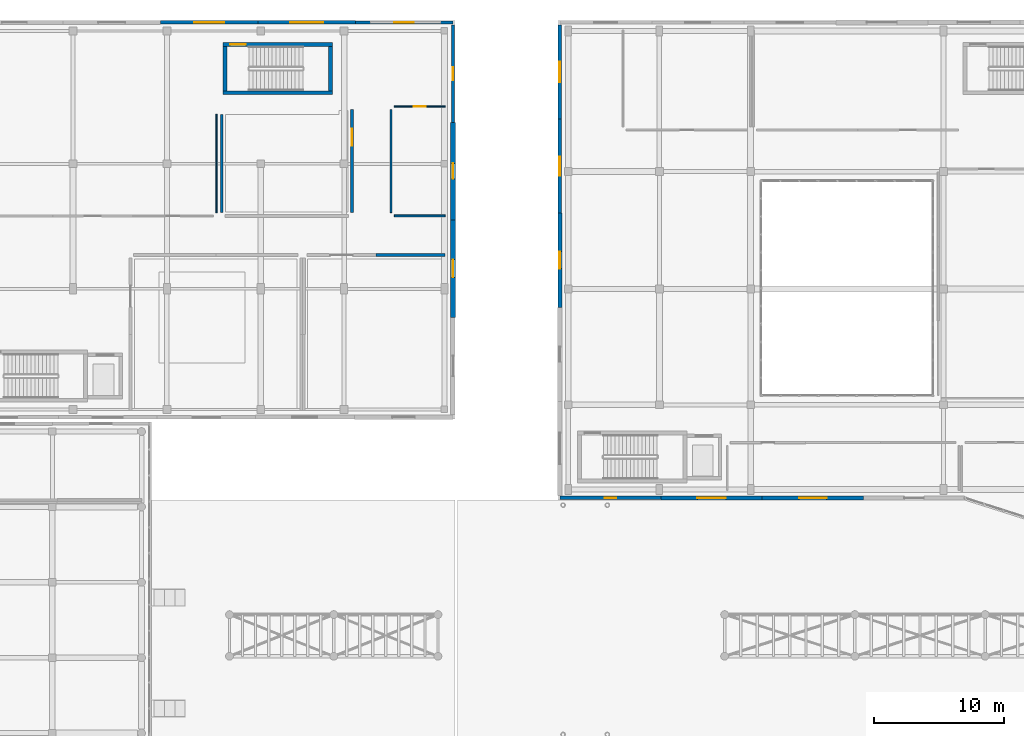
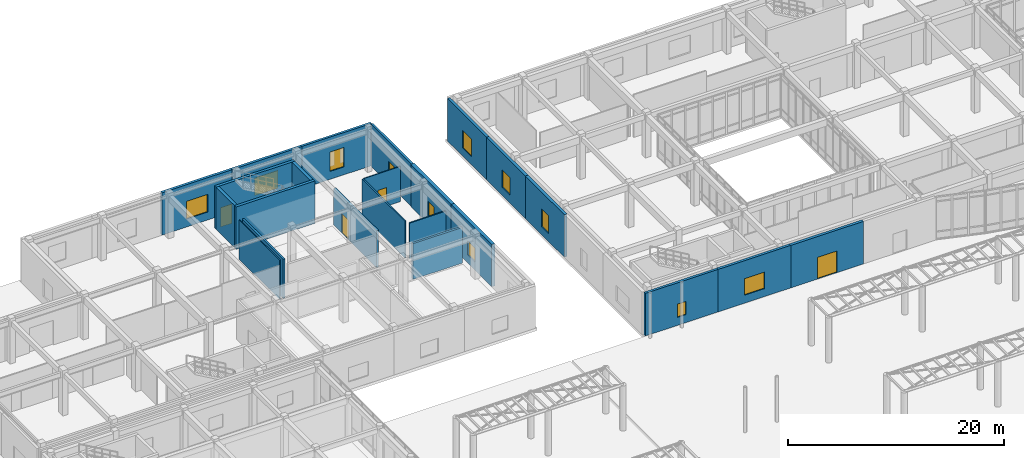
# One storey, part 103 of 121: 23 walls, 11 windows, 4 doors, 15 openings.
"""IFC4 building model written with IfcOpenShell, lengths in metres."""

from ifc_helpers import new_model, si_unit, direction, frame, frame_2d, origin, place, context, subcontext, project, spatial, rectangle, extrude, material, layer, layer_set, type_object, element, fill, save


model = new_model("IFC4")

# Units and contexts
model_context = context("Model", 3, precision=1e-05, world=origin(), true_north=direction((0.0, 1.0)))
body_context = subcontext(model_context, "Body", "Model", "MODEL_VIEW")
ifc_project = project(units=[si_unit("LENGTHUNIT", "METRE"), si_unit("AREAUNIT", "SQUARE_METRE"), si_unit("VOLUMEUNIT", "CUBIC_METRE"), si_unit("PLANEANGLEUNIT", "RADIAN"), si_unit("MASSUNIT", "GRAM", prefix="KILO")], contexts=[model_context])

# Site, building, storey
site_placement = place(None, origin())
site = spatial("IfcSite", under=ifc_project, at=site_placement, CompositionType="ELEMENT")
building_placement = place(site_placement, origin())
building = spatial("IfcBuilding", under=site, at=building_placement, Name="Valcora Specialist Clinic", CompositionType="ELEMENT")
storey_placement = place(building_placement, origin())
storey = spatial("IfcBuildingStorey", under=building, at=storey_placement, Name="L00", CompositionType="ELEMENT", Elevation=0.0)

# Wall
ifc_material_1 = material(Name="Concrete C40/50", Category="concrete")
ifc_layer_1 = layer(ifc_material_1, 0.300048828125)
ifc_layer_set_1 = layer_set([ifc_layer_1], Name="Concrete C40/50")
wall_type_1 = type_object("IfcWallType", Name="TY-WL-CR300", PredefinedType="SHEAR", material=ifc_layer_set_1)
wall_1_placement = place(storey_placement, frame((35.5, 105.25, 0.0), z_axis=(0.0, 0.0, 1.0), x_axis=(1.0, 0.0, 0.0)))
element("IfcWall", 1, at=wall_1_placement, inside=storey, type_object=wall_type_1, Name="Core shear wall WL-CR-C-V2B-L00-S", PredefinedType="SHEAR", context=body_context, shape_type="SweptSolid", body=[
    extrude(rectangle(XDim=8.419921875, YDim=0.300048828125, at=frame_2d((4.2099609375, 0.0))), origin(), (0.0, 0.0, 1.0), 4.784912109375),
])

# Wall, opening, door
wall_2_placement = place(storey_placement, frame((35.5, 108.949951171875, 0.0), z_axis=(0.0, 0.0, 1.0), x_axis=(1.0, 0.0, 0.0)))
wall_2 = element("IfcWall", 2, at=wall_2_placement, inside=storey, type_object=wall_type_1, Name="Core shear wall WL-CR-C-V2B-L00-N", PredefinedType="SHEAR", context=body_context, shape_type="SweptSolid", body=[
    extrude(rectangle(XDim=8.419921875, YDim=0.300048828125, at=frame_2d((4.2099609375, 0.0))), origin(), (0.0, 0.0, 1.0), 4.784912109375),
])
opening_1_placement = place(wall_2_placement, frame((0.550048828125, 0.0, 0.0)))
opening_1 = element("IfcOpeningElement", 3, at=opening_1_placement, cuts=wall_2, Name="Opening DR-FD-120", PredefinedType="OPENING", context=body_context, shape_type="SweptSolid", body=[
    extrude(rectangle(XDim=1.199951171875, YDim=2.199951171875, at=frame_2d((0.60009765625, 1.10009765625))), frame((0.0, 0.159912109375, 0.0), z_axis=(0.0, -1.0, 0.0), x_axis=(1.0, 0.0, 0.0)), (0.0, 0.0, 1.0), 0.320068359375),
])
ifc_material_2 = material(Name="Galvanized Hollow Metal Door Steel ASTM A653", Category="steel")
door_type_1 = type_object("IfcDoorType", Name="TY-DR-ST120", OperationType="NOTDEFINED", PredefinedType="DOOR", material=ifc_material_2)
door_1_placement = place(opening_1_placement, origin())
door_1 = element("IfcDoor", 4, at=door_1_placement, inside=storey, type_object=door_type_1, Name="Exit stair fire door C-V2B L00", OperationType="SINGLE_SWING_RIGHT", OverallHeight=2.199951171875, OverallWidth=1.199951171875, PredefinedType="DOOR", context=body_context, shape_type="SweptSolid", body=[
    extrude(rectangle(XDim=1.199951171875, YDim=2.199951171875, at=frame_2d((0.60009765625, 1.10009765625))), frame((0.0, 0.02490234375, 0.0), z_axis=(0.0, -1.0, 0.0), x_axis=(1.0, 0.0, 0.0)), (0.0, 0.0, 1.0), 0.050048828125),
])
fill(opening_1, door_1)

# Walls
wall_3_placement = place(storey_placement, frame((35.64990234375, 105.402099609375, 0.0), z_axis=(0.0, 0.0, 1.0), x_axis=(0.0, 1.0, 0.0)))
element("IfcWall", 5, at=wall_3_placement, inside=storey, type_object=wall_type_1, Name="Core shear wall WL-CR-C-V2B-L00-W", PredefinedType="SHEAR", context=body_context, shape_type="SweptSolid", body=[
    extrude(rectangle(XDim=3.39599609375, YDim=0.300048828125, at=frame_2d((1.697998046875, 0.0))), origin(), (0.0, 0.0, 1.0), 4.784912109375),
])
ifc_layer_2 = layer(ifc_material_1, 0.320068359375)
ifc_layer_set_2 = layer_set([ifc_layer_2], Name="Concrete C40/50")
wall_type_2 = type_object("IfcWallType", Name="TY-WL-CR320", PredefinedType="SHEAR", material=ifc_layer_set_2)
wall_4_placement = place(storey_placement, frame((43.760009765625, 105.402099609375, 0.0), z_axis=(0.0, 0.0, 1.0), x_axis=(0.0, 1.0, 0.0)))
element("IfcWall", 6, at=wall_4_placement, inside=storey, type_object=wall_type_2, Name="Core shear wall WL-CR-C-V2B-L00-E", PredefinedType="SHEAR", context=body_context, shape_type="SweptSolid", body=[
    extrude(rectangle(XDim=3.39599609375, YDim=0.320068359375, at=frame_2d((1.697998046875, 0.0))), origin(), (0.0, 0.0, 1.0), 4.784912109375),
])

# Wall, opening, window
ifc_material_3 = material(Name="Extruded Jalisco Clay Brick Masonry", Category="masonry")
ifc_layer_3 = layer(ifc_material_3, 0.235107421875)
ifc_layer_set_3 = layer_set([ifc_layer_3], Name="Extruded Jalisco Clay Brick Masonry")
wall_type_3 = type_object("IfcWallType", Name="TY-WL-EW235", PredefinedType="SOLIDWALL", material=ifc_layer_set_3)
wall_5_placement = place(storey_placement, frame((53.14990234375, 110.4599609375, 0.0), z_axis=(0.0, 0.0, 1.0), x_axis=(0.0, -1.0, 0.0)))
wall_5 = element("IfcWall", 7, at=wall_5_placement, inside=storey, type_object=wall_type_3, Name="Exterior wall WL-EXT-L00-0050", PredefinedType="SOLIDWALL", context=body_context, shape_type="SweptSolid", body=[
    extrude(rectangle(XDim=7.47998046875, YDim=0.235107421875, at=frame_2d((3.739990234375, 0.0))), origin(), (0.0, 0.0, 1.0), 4.784912109375),
])
opening_2_placement = place(wall_5_placement, frame((3.239990234375, 0.0, 0.89990234375)))
opening_2 = element("IfcOpeningElement", 8, at=opening_2_placement, cuts=wall_5, Name="Opening WN-31", PredefinedType="OPENING", context=body_context, shape_type="SweptSolid", body=[
    extrude(rectangle(XDim=1.0, YDim=1.6201171875, at=frame_2d((0.5, 0.81005859375))), frame((0.0, 0.12744140625, 0.0), z_axis=(0.0, -1.0, 0.0), x_axis=(1.0, 0.0, 0.0)), (0.0, 0.0, 1.0), 0.255126953125),
])
ifc_material_4 = material(Name="Low-E Laminated Insulating Glass", Category="glass")
window_type_1 = type_object("IfcWindowType", Name="TY-WN-31", PartitioningType="SINGLE_PANEL", PredefinedType="WINDOW", material=ifc_material_4)
window_1_placement = place(opening_2_placement, origin())
window_1 = element("IfcWindow", 9, at=window_1_placement, inside=storey, type_object=window_type_1, Name="Facade window WN-L00-0031", OverallHeight=1.6201171875, OverallWidth=1.0, PartitioningType="SINGLE_PANEL", PredefinedType="WINDOW", context=body_context, shape_type="SweptSolid", body=[
    extrude(rectangle(XDim=1.0, YDim=1.6201171875, at=frame_2d((0.5, 0.81005859375))), frame((0.0, 0.030029296875, 0.0), z_axis=(0.0, -1.0, 0.0), x_axis=(1.0, 0.0, 0.0)), (0.0, 0.0, 1.0), 0.06005859375),
])
fill(opening_2, window_1)

ifc_layer_4 = layer(ifc_material_3, 0.25)
ifc_layer_set_4 = layer_set([ifc_layer_4], Name="Extruded Jalisco Clay Brick Masonry")
wall_type_4 = type_object("IfcWallType", Name="TY-WL-EW250", PredefinedType="SOLIDWALL", material=ifc_layer_set_4)
wall_6_placement = place(storey_placement, frame((45.669921875, 110.64990234375, 0.0), z_axis=(0.0, 0.0, 1.0), x_axis=(1.0, 0.0, 0.0)))
wall_6 = element("IfcWall", 10, at=wall_6_placement, inside=storey, type_object=wall_type_4, Name="Exterior wall WL-EXT-L00-0049", PredefinedType="SOLIDWALL", context=body_context, shape_type="SweptSolid", body=[
    extrude(rectangle(XDim=7.47998046875, YDim=0.25, at=frame_2d((3.739990234375, 0.0))), origin(), (0.0, 0.0, 1.0), 4.784912109375),
])
opening_3_placement = place(wall_6_placement, frame((2.989990234375, 0.0, 0.89990234375)))
opening_3 = element("IfcOpeningElement", 11, at=opening_3_placement, cuts=wall_6, Name="Opening WN-30", PredefinedType="OPENING", context=body_context, shape_type="SweptSolid", body=[
    extrude(rectangle(XDim=1.5, YDim=2.199951171875, at=frame_2d((0.75, 1.10009765625))), frame((0.0, 0.135009765625, 0.0), z_axis=(0.0, -1.0, 0.0), x_axis=(1.0, 0.0, 0.0)), (0.0, 0.0, 1.0), 0.27001953125),
])
window_type_2 = type_object("IfcWindowType", Name="TY-WN-30", PartitioningType="SINGLE_PANEL", PredefinedType="WINDOW", material=ifc_material_4)
window_2_placement = place(opening_3_placement, origin())
window_2 = element("IfcWindow", 12, at=window_2_placement, inside=storey, type_object=window_type_2, Name="Facade window WN-L00-0030", OverallHeight=2.199951171875, OverallWidth=1.5, PartitioningType="SINGLE_PANEL", PredefinedType="WINDOW", context=body_context, shape_type="SweptSolid", body=[
    extrude(rectangle(XDim=1.5, YDim=2.199951171875, at=frame_2d((0.75, 1.10009765625))), frame((0.0, 0.030029296875, 0.0), z_axis=(0.0, -1.0, 0.0), x_axis=(1.0, 0.0, 0.0)), (0.0, 0.0, 1.0), 0.06005859375),
])
fill(opening_3, window_2)

ifc_layer_5 = layer(ifc_material_3, 0.264892578125)
ifc_layer_set_5 = layer_set([ifc_layer_5], Name="Extruded Jalisco Clay Brick Masonry")
wall_type_5 = type_object("IfcWallType", Name="TY-WL-EW265", PredefinedType="SOLIDWALL", material=ifc_layer_set_5)
wall_7_placement = place(storey_placement, frame((38.18994140625, 110.64990234375, 0.0), z_axis=(0.0, 0.0, 1.0), x_axis=(1.0, 0.0, 0.0)))
wall_7 = element("IfcWall", 13, at=wall_7_placement, inside=storey, type_object=wall_type_5, Name="Exterior wall WL-EXT-L00-0048", PredefinedType="SOLIDWALL", context=body_context, shape_type="SweptSolid", body=[
    extrude(rectangle(XDim=7.47998046875, YDim=0.264892578125, at=frame_2d((3.739990234375, 0.0))), origin(), (0.0, 0.0, 1.0), 4.784912109375),
])
opening_4_placement = place(wall_7_placement, frame((2.489990234375, 0.0, 0.89990234375)))
opening_4 = element("IfcOpeningElement", 14, at=opening_4_placement, cuts=wall_7, Name="Opening WN-29", PredefinedType="OPENING", context=body_context, shape_type="SweptSolid", body=[
    extrude(rectangle(XDim=2.5, YDim=2.0, at=frame_2d((1.25, 1.0))), frame((0.0, 0.142333984375, 0.0), z_axis=(0.0, -1.0, 0.0), x_axis=(1.0, 0.0, 0.0)), (0.0, 0.0, 1.0), 0.284912109375),
])
window_type_3 = type_object("IfcWindowType", Name="TY-WN-29", PartitioningType="SINGLE_PANEL", PredefinedType="WINDOW", material=ifc_material_4)
window_3_placement = place(opening_4_placement, origin())
window_3 = element("IfcWindow", 15, at=window_3_placement, inside=storey, type_object=window_type_3, Name="Facade window WN-L00-0029", OverallHeight=2.0, OverallWidth=2.5, PartitioningType="SINGLE_PANEL", PredefinedType="WINDOW", context=body_context, shape_type="SweptSolid", body=[
    extrude(rectangle(XDim=2.5, YDim=2.0, at=frame_2d((1.25, 1.0))), frame((0.0, 0.030029296875, 0.0), z_axis=(0.0, -1.0, 0.0), x_axis=(1.0, 0.0, 0.0)), (0.0, 0.0, 1.0), 0.06005859375),
])
fill(opening_4, window_3)

wall_8_placement = place(storey_placement, frame((69.118408203125, 74.14990234375, 0.0), z_axis=(0.0, 0.0, 1.0), x_axis=(-1.0, 0.0, 0.0)))
wall_8 = element("IfcWall", 16, at=wall_8_placement, inside=storey, type_object=wall_type_5, Name="Exterior wall WL-EXT-L00-0148", PredefinedType="SOLIDWALL", context=body_context, shape_type="SweptSolid", body=[
    extrude(rectangle(XDim=7.768310546875, YDim=0.264892578125, at=frame_2d((3.88427734375, 0.0))), origin(), (0.0, 0.0, 1.0), 4.81005859375),
])
opening_5_placement = place(wall_8_placement, frame((3.43408203125, 0.0, 0.89990234375)))
opening_5 = element("IfcOpeningElement", 17, at=opening_5_placement, cuts=wall_8, Name="Opening WN-01", PredefinedType="OPENING", context=body_context, shape_type="SweptSolid", body=[
    extrude(rectangle(XDim=0.89990234375, YDim=1.5, at=frame_2d((0.449951171875, 0.75))), frame((0.0, 0.142333984375, 0.0), z_axis=(0.0, -1.0, 0.0), x_axis=(1.0, 0.0, 0.0)), (0.0, 0.0, 1.0), 0.284912109375),
])
window_type_4 = type_object("IfcWindowType", Name="TY-WN-01", PartitioningType="SINGLE_PANEL", PredefinedType="WINDOW", material=ifc_material_4)
window_4_placement = place(opening_5_placement, origin())
window_4 = element("IfcWindow", 18, at=window_4_placement, inside=storey, type_object=window_type_4, Name="Facade window WN-L00-0127", OverallHeight=1.5, OverallWidth=0.89990234375, PartitioningType="SINGLE_PANEL", PredefinedType="WINDOW", context=body_context, shape_type="SweptSolid", body=[
    extrude(rectangle(XDim=0.89990234375, YDim=1.5, at=frame_2d((0.449951171875, 0.75))), frame((0.0, 0.030029296875, 0.0), z_axis=(0.0, -1.0, 0.0), x_axis=(1.0, 0.0, 0.0)), (0.0, 0.0, 1.0), 0.06005859375),
])
fill(opening_5, window_4)

ifc_layer_6 = layer(ifc_material_3, 0.280029296875)
ifc_layer_set_6 = layer_set([ifc_layer_6], Name="Extruded Jalisco Clay Brick Masonry")
wall_type_6 = type_object("IfcWallType", Name="TY-WL-EW280", PredefinedType="SOLIDWALL", material=ifc_layer_set_6)
wall_9_placement = place(storey_placement, frame((30.7099609375, 110.64990234375, 0.0), z_axis=(0.0, 0.0, 1.0), x_axis=(1.0, 0.0, 0.0)))
wall_9 = element("IfcWall", 19, at=wall_9_placement, inside=storey, type_object=wall_type_6, Name="Exterior wall WL-EXT-L00-0047", PredefinedType="SOLIDWALL", context=body_context, shape_type="SweptSolid", body=[
    extrude(rectangle(XDim=7.47998046875, YDim=0.280029296875, at=frame_2d((3.739990234375, 0.0))), origin(), (0.0, 0.0, 1.0), 4.784912109375),
])
opening_6_placement = place(wall_9_placement, frame((2.590087890625, 0.0, 0.89990234375)))
opening_6 = element("IfcOpeningElement", 20, at=opening_6_placement, cuts=wall_9, Name="Opening WN-28", PredefinedType="OPENING", context=body_context, shape_type="SweptSolid", body=[
    extrude(rectangle(XDim=2.300048828125, YDim=2.0, at=frame_2d((1.14990234375, 1.0))), frame((0.0, 0.14990234375, 0.0), z_axis=(0.0, -1.0, 0.0), x_axis=(1.0, 0.0, 0.0)), (0.0, 0.0, 1.0), 0.300048828125),
])
window_type_5 = type_object("IfcWindowType", Name="TY-WN-28", PartitioningType="SINGLE_PANEL", PredefinedType="WINDOW", material=ifc_material_4)
window_5_placement = place(opening_6_placement, origin())
window_5 = element("IfcWindow", 21, at=window_5_placement, inside=storey, type_object=window_type_5, Name="Facade window WN-L00-0028", OverallHeight=2.0, OverallWidth=2.300048828125, PartitioningType="SINGLE_PANEL", PredefinedType="WINDOW", context=body_context, shape_type="SweptSolid", body=[
    extrude(rectangle(XDim=2.300048828125, YDim=2.0, at=frame_2d((1.14990234375, 1.0))), frame((0.0, 0.030029296875, 0.0), z_axis=(0.0, -1.0, 0.0), x_axis=(1.0, 0.0, 0.0)), (0.0, 0.0, 1.0), 0.06005859375),
])
fill(opening_6, window_5)

wall_10_placement = place(storey_placement, frame((61.35009765625, 103.236083984375, 0.0), z_axis=(0.0, 0.0, 1.0), x_axis=(0.0, 1.0, 0.0)))
wall_10 = element("IfcWall", 22, at=wall_10_placement, inside=storey, type_object=wall_type_6, Name="Exterior wall WL-EXT-L00-0127", PredefinedType="SOLIDWALL", context=body_context, shape_type="SweptSolid", body=[
    extrude(rectangle(XDim=7.223876953125, YDim=0.280029296875, at=frame_2d((3.61181640625, 0.0))), origin(), (0.0, 0.0, 1.0), 4.81005859375),
])
opening_7_placement = place(wall_10_placement, frame((2.81201171875, 0.0, 0.89990234375)))
opening_7 = element("IfcOpeningElement", 23, at=opening_7_placement, cuts=wall_10, Name="Opening WN-24", PredefinedType="OPENING", context=body_context, shape_type="SweptSolid", body=[
    extrude(rectangle(XDim=1.60009765625, YDim=2.0, at=frame_2d((0.800048828125, 1.0))), frame((0.0, 0.14990234375, 0.0), z_axis=(0.0, -1.0, 0.0), x_axis=(1.0, 0.0, 0.0)), (0.0, 0.0, 1.0), 0.300048828125),
])
window_type_6 = type_object("IfcWindowType", Name="TY-WN-24", PartitioningType="SINGLE_PANEL", PredefinedType="WINDOW", material=ifc_material_4)
window_6_placement = place(opening_7_placement, origin())
window_6 = element("IfcWindow", 24, at=window_6_placement, inside=storey, type_object=window_type_6, Name="Facade window WN-L00-0108", OverallHeight=2.0, OverallWidth=1.60009765625, PartitioningType="SINGLE_PANEL", PredefinedType="WINDOW", context=body_context, shape_type="SweptSolid", body=[
    extrude(rectangle(XDim=1.60009765625, YDim=2.0, at=frame_2d((0.800048828125, 1.0))), frame((0.0, 0.030029296875, 0.0), z_axis=(0.0, -1.0, 0.0), x_axis=(1.0, 0.0, 0.0)), (0.0, 0.0, 1.0), 0.06005859375),
])
fill(opening_7, window_6)

wall_11_placement = place(storey_placement, frame((76.88671875, 74.14990234375, 0.0), z_axis=(0.0, 0.0, 1.0), x_axis=(-1.0, 0.0, 0.0)))
wall_11 = element("IfcWall", 25, at=wall_11_placement, inside=storey, type_object=wall_type_6, Name="Exterior wall WL-EXT-L00-0147", PredefinedType="SOLIDWALL", context=body_context, shape_type="SweptSolid", body=[
    extrude(rectangle(XDim=7.768310546875, YDim=0.280029296875, at=frame_2d((3.88427734375, 0.0))), origin(), (0.0, 0.0, 1.0), 4.81005859375),
])
opening_8_placement = place(wall_11_placement, frame((2.7939453125, 0.0, 0.89990234375)))
opening_8 = element("IfcOpeningElement", 26, at=opening_8_placement, cuts=wall_11, Name="Opening WN-42", PredefinedType="OPENING", context=body_context, shape_type="SweptSolid", body=[
    extrude(rectangle(XDim=2.179931640625, YDim=1.8798828125, at=frame_2d((1.08984375, 0.93994140625))), frame((0.0, 0.14990234375, 0.0), z_axis=(0.0, -1.0, 0.0), x_axis=(1.0, 0.0, 0.0)), (0.0, 0.0, 1.0), 0.300048828125),
])
window_type_7 = type_object("IfcWindowType", Name="TY-WN-42", PartitioningType="SINGLE_PANEL", PredefinedType="WINDOW", material=ifc_material_4)
window_7_placement = place(opening_8_placement, origin())
window_7 = element("IfcWindow", 27, at=window_7_placement, inside=storey, type_object=window_type_7, Name="Facade window WN-L00-0126", OverallHeight=1.8798828125, OverallWidth=2.179931640625, PartitioningType="SINGLE_PANEL", PredefinedType="WINDOW", context=body_context, shape_type="SweptSolid", body=[
    extrude(rectangle(XDim=2.179931640625, YDim=1.8798828125, at=frame_2d((1.08984375, 0.93994140625))), frame((0.0, 0.030029296875, 0.0), z_axis=(0.0, -1.0, 0.0), x_axis=(1.0, 0.0, 0.0)), (0.0, 0.0, 1.0), 0.06005859375),
])
fill(opening_8, window_7)

ifc_layer_7 = layer(ifc_material_3, 0.294921875)
ifc_layer_set_7 = layer_set([ifc_layer_7], Name="Extruded Jalisco Clay Brick Masonry")
wall_type_7 = type_object("IfcWallType", Name="TY-WL-EW295", PredefinedType="SOLIDWALL", material=ifc_layer_set_7)
wall_12_placement = place(storey_placement, frame((61.35009765625, 96.011962890625, 0.0), z_axis=(0.0, 0.0, 1.0), x_axis=(0.0, 1.0, 0.0)))
wall_12 = element("IfcWall", 28, at=wall_12_placement, inside=storey, type_object=wall_type_7, Name="Exterior wall WL-EXT-L00-0126", PredefinedType="SOLIDWALL", context=body_context, shape_type="SweptSolid", body=[
    extrude(rectangle(XDim=7.22412109375, YDim=0.294921875, at=frame_2d((3.612060546875, 0.0))), origin(), (0.0, 0.0, 1.0), 4.81005859375),
])
opening_9_placement = place(wall_12_placement, frame((2.886962890625, 0.0, 0.89990234375)))
opening_9 = element("IfcOpeningElement", 29, at=opening_9_placement, cuts=wall_12, Name="Opening WN-23", PredefinedType="OPENING", context=body_context, shape_type="SweptSolid", body=[
    extrude(rectangle(XDim=1.449951171875, YDim=2.0, at=frame_2d((0.72509765625, 1.0))), frame((0.0, 0.157470703125, 0.0), z_axis=(0.0, -1.0, 0.0), x_axis=(1.0, 0.0, 0.0)), (0.0, 0.0, 1.0), 0.31494140625),
])
window_type_8 = type_object("IfcWindowType", Name="TY-WN-23", PartitioningType="SINGLE_PANEL", PredefinedType="WINDOW", material=ifc_material_4)
window_8_placement = place(opening_9_placement, origin())
window_8 = element("IfcWindow", 30, at=window_8_placement, inside=storey, type_object=window_type_8, Name="Facade window WN-L00-0107", OverallHeight=2.0, OverallWidth=1.449951171875, PartitioningType="SINGLE_PANEL", PredefinedType="WINDOW", context=body_context, shape_type="SweptSolid", body=[
    extrude(rectangle(XDim=1.449951171875, YDim=2.0, at=frame_2d((0.72509765625, 1.0))), frame((0.0, 0.030029296875, 0.0), z_axis=(0.0, -1.0, 0.0), x_axis=(1.0, 0.0, 0.0)), (0.0, 0.0, 1.0), 0.06005859375),
])
fill(opening_9, window_8)

# Wall, opening, door
wall_13_placement = place(storey_placement, frame((84.655029296875, 74.14990234375, 0.0), z_axis=(0.0, 0.0, 1.0), x_axis=(-1.0, 0.0, 0.0)))
wall_13 = element("IfcWall", 31, at=wall_13_placement, inside=storey, type_object=wall_type_7, Name="Exterior wall WL-EXT-L00-0146", PredefinedType="SOLIDWALL", context=body_context, shape_type="SweptSolid", body=[
    extrude(rectangle(XDim=7.768310546875, YDim=0.294921875, at=frame_2d((3.88427734375, 0.0))), origin(), (0.0, 0.0, 1.0), 4.81005859375),
])
opening_10_placement = place(wall_13_placement, frame((2.833984375, 0.0, 0.0)))
opening_10 = element("IfcOpeningElement", 32, at=opening_10_placement, cuts=wall_13, Name="Opening DR-EX-210", PredefinedType="OPENING", context=body_context, shape_type="SweptSolid", body=[
    extrude(rectangle(XDim=2.10009765625, YDim=2.449951171875, at=frame_2d((1.050048828125, 1.22509765625))), frame((0.0, 0.157470703125, 0.0), z_axis=(0.0, -1.0, 0.0), x_axis=(1.0, 0.0, 0.0)), (0.0, 0.0, 1.0), 0.31494140625),
])
ifc_material_5 = material(Name="Anodized Bronze Aluminium 6063-T6", Category="aluminium")
door_type_2 = type_object("IfcDoorType", Name="TY-DR-EX210", OperationType="NOTDEFINED", PredefinedType="DOOR", material=ifc_material_5)
door_2_placement = place(opening_10_placement, origin())
door_2 = element("IfcDoor", 33, at=door_2_placement, inside=storey, type_object=door_type_2, Name="Exterior door DR-EXT-L00-011", OperationType="SINGLE_SWING_LEFT", OverallHeight=2.449951171875, OverallWidth=2.10009765625, PredefinedType="DOOR", context=body_context, shape_type="SweptSolid", body=[
    extrude(rectangle(XDim=2.10009765625, YDim=2.449951171875, at=frame_2d((1.050048828125, 1.22509765625))), frame((0.0, 0.02490234375, 0.0), z_axis=(0.0, -1.0, 0.0), x_axis=(1.0, 0.0, 0.0)), (0.0, 0.0, 1.0), 0.050048828125),
])
fill(opening_10, door_2)

# Wall, opening, window
ifc_layer_8 = layer(ifc_material_3, 0.31005859375)
ifc_layer_set_8 = layer_set([ifc_layer_8], Name="Extruded Jalisco Clay Brick Masonry")
wall_type_8 = type_object("IfcWallType", Name="TY-WL-EW310", PredefinedType="SOLIDWALL", material=ifc_layer_set_8)
wall_14_placement = place(storey_placement, frame((61.35009765625, 88.7880859375, 0.0), z_axis=(0.0, 0.0, 1.0), x_axis=(0.0, 1.0, 0.0)))
wall_14 = element("IfcWall", 34, at=wall_14_placement, inside=storey, type_object=wall_type_8, Name="Exterior wall WL-EXT-L00-0125", PredefinedType="SOLIDWALL", context=body_context, shape_type="SweptSolid", body=[
    extrude(rectangle(XDim=7.223876953125, YDim=0.31005859375, at=frame_2d((3.61181640625, 0.0))), origin(), (0.0, 0.0, 1.0), 4.81005859375),
])
opening_11_placement = place(wall_14_placement, frame((2.9619140625, 0.0, 0.89990234375)))
opening_11 = element("IfcOpeningElement", 35, at=opening_11_placement, cuts=wall_14, Name="Opening WN-22", PredefinedType="OPENING", context=body_context, shape_type="SweptSolid", body=[
    extrude(rectangle(XDim=1.300048828125, YDim=2.0, at=frame_2d((0.64990234375, 1.0))), frame((0.0, 0.1650390625, 0.0), z_axis=(0.0, -1.0, 0.0), x_axis=(1.0, 0.0, 0.0)), (0.0, 0.0, 1.0), 0.330078125),
])
window_type_9 = type_object("IfcWindowType", Name="TY-WN-22", PartitioningType="SINGLE_PANEL", PredefinedType="WINDOW", material=ifc_material_4)
window_9_placement = place(opening_11_placement, origin())
window_9 = element("IfcWindow", 36, at=window_9_placement, inside=storey, type_object=window_type_9, Name="Facade window WN-L00-0106", OverallHeight=2.0, OverallWidth=1.300048828125, PartitioningType="SINGLE_PANEL", PredefinedType="WINDOW", context=body_context, shape_type="SweptSolid", body=[
    extrude(rectangle(XDim=1.300048828125, YDim=2.0, at=frame_2d((0.64990234375, 1.0))), frame((0.0, 0.030029296875, 0.0), z_axis=(0.0, -1.0, 0.0), x_axis=(1.0, 0.0, 0.0)), (0.0, 0.0, 1.0), 0.06005859375),
])
fill(opening_11, window_9)

ifc_layer_9 = layer(ifc_material_3, 0.35498046875)
ifc_layer_set_9 = layer_set([ifc_layer_9], Name="Extruded Jalisco Clay Brick Masonry")
wall_type_9 = type_object("IfcWallType", Name="TY-WL-EW355", PredefinedType="SOLIDWALL", material=ifc_layer_set_9)
wall_15_placement = place(storey_placement, frame((53.14990234375, 95.5, 0.0), z_axis=(0.0, 0.0, 1.0), x_axis=(0.0, -1.0, 0.0)))
wall_15 = element("IfcWall", 37, at=wall_15_placement, inside=storey, type_object=wall_type_9, Name="Exterior wall WL-EXT-L00-0052", PredefinedType="SOLIDWALL", context=body_context, shape_type="SweptSolid", body=[
    extrude(rectangle(XDim=7.47998046875, YDim=0.35498046875, at=frame_2d((3.739990234375, 0.0))), origin(), (0.0, 0.0, 1.0), 4.784912109375),
])
opening_12_placement = place(wall_15_placement, frame((3.06005859375, 0.0, 0.89990234375)))
opening_12 = element("IfcOpeningElement", 38, at=opening_12_placement, cuts=wall_15, Name="Opening WN-33", PredefinedType="OPENING", context=body_context, shape_type="SweptSolid", body=[
    extrude(rectangle(XDim=1.360107421875, YDim=1.6201171875, at=frame_2d((0.68017578125, 0.81005859375))), frame((0.0, 0.1875, 0.0), z_axis=(0.0, -1.0, 0.0), x_axis=(1.0, 0.0, 0.0)), (0.0, 0.0, 1.0), 0.375),
])
window_type_10 = type_object("IfcWindowType", Name="TY-WN-33", PartitioningType="SINGLE_PANEL", PredefinedType="WINDOW", material=ifc_material_4)
window_10_placement = place(opening_12_placement, origin())
window_10 = element("IfcWindow", 39, at=window_10_placement, inside=storey, type_object=window_type_10, Name="Facade window WN-L00-0033", OverallHeight=1.6201171875, OverallWidth=1.360107421875, PartitioningType="SINGLE_PANEL", PredefinedType="WINDOW", context=body_context, shape_type="SweptSolid", body=[
    extrude(rectangle(XDim=1.360107421875, YDim=1.6201171875, at=frame_2d((0.68017578125, 0.81005859375))), frame((0.0, 0.030029296875, 0.0), z_axis=(0.0, -1.0, 0.0), x_axis=(1.0, 0.0, 0.0)), (0.0, 0.0, 1.0), 0.06005859375),
])
fill(opening_12, window_10)

ifc_layer_10 = layer(ifc_material_3, 0.3701171875)
ifc_layer_set_10 = layer_set([ifc_layer_10], Name="Extruded Jalisco Clay Brick Masonry")
wall_type_10 = type_object("IfcWallType", Name="TY-WL-EW370", PredefinedType="SOLIDWALL", material=ifc_layer_set_10)
wall_16_placement = place(storey_placement, frame((53.14990234375, 102.97998046875, 0.0), z_axis=(0.0, 0.0, 1.0), x_axis=(0.0, -1.0, 0.0)))
wall_16 = element("IfcWall", 40, at=wall_16_placement, inside=storey, type_object=wall_type_10, Name="Exterior wall WL-EXT-L00-0051", PredefinedType="SOLIDWALL", context=body_context, shape_type="SweptSolid", body=[
    extrude(rectangle(XDim=7.47998046875, YDim=0.3701171875, at=frame_2d((3.739990234375, 0.0))), origin(), (0.0, 0.0, 1.0), 4.784912109375),
])
opening_13_placement = place(wall_16_placement, frame((3.14990234375, 0.0, 0.89990234375)))
opening_13 = element("IfcOpeningElement", 41, at=opening_13_placement, cuts=wall_16, Name="Opening WN-32", PredefinedType="OPENING", context=body_context, shape_type="SweptSolid", body=[
    extrude(rectangle(XDim=1.179931640625, YDim=1.6201171875, at=frame_2d((0.58984375, 0.81005859375))), frame((0.0, 0.195068359375, 0.0), z_axis=(0.0, -1.0, 0.0), x_axis=(1.0, 0.0, 0.0)), (0.0, 0.0, 1.0), 0.39013671875),
])
window_type_11 = type_object("IfcWindowType", Name="TY-WN-32", PartitioningType="SINGLE_PANEL", PredefinedType="WINDOW", material=ifc_material_4)
window_11_placement = place(opening_13_placement, origin())
window_11 = element("IfcWindow", 42, at=window_11_placement, inside=storey, type_object=window_type_11, Name="Facade window WN-L00-0032", OverallHeight=1.6201171875, OverallWidth=1.179931640625, PartitioningType="SINGLE_PANEL", PredefinedType="WINDOW", context=body_context, shape_type="SweptSolid", body=[
    extrude(rectangle(XDim=1.179931640625, YDim=1.6201171875, at=frame_2d((0.58984375, 0.81005859375))), frame((0.0, 0.030029296875, 0.0), z_axis=(0.0, -1.0, 0.0), x_axis=(1.0, 0.0, 0.0)), (0.0, 0.0, 1.0), 0.06005859375),
])
fill(opening_13, window_11)

# Wall, opening, door
ifc_material_6 = material(Name="Gypsum Board Partition Assembly")
ifc_layer_11 = layer(ifc_material_6, 0.094970703125)
ifc_layer_set_11 = layer_set([ifc_layer_11], Name="Gypsum Board Partition Assembly")
wall_type_11 = type_object("IfcWallType", Name="TY-WL-PT095", PredefinedType="PARTITIONING", material=ifc_layer_set_11)
wall_17_placement = place(storey_placement, frame((48.64990234375, 104.199951171875, 0.0), z_axis=(0.0, 0.0, 1.0), x_axis=(1.0, 0.0, 0.0)))
wall_17 = element("IfcWall", 43, at=wall_17_placement, inside=storey, type_object=wall_type_11, Name="Interior partition WL-INT-L00-0059", PredefinedType="PARTITIONING", context=body_context, shape_type="SweptSolid", body=[
    extrude(rectangle(XDim=3.900146484375, YDim=0.094970703125, at=frame_2d((1.9501953125, 0.0))), origin(), (0.0, 0.0, 1.0), 3.985107421875),
])
opening_14_placement = place(wall_17_placement, frame((1.489990234375, 0.0, 0.0)))
opening_14 = element("IfcOpeningElement", 44, at=opening_14_placement, cuts=wall_17, Name="Opening DR-WC-092", PredefinedType="OPENING", context=body_context, shape_type="SweptSolid", body=[
    extrude(rectangle(XDim=0.919921875, YDim=2.1201171875, at=frame_2d((0.4599609375, 1.06005859375))), frame((0.0, 0.057373046875, 0.0), z_axis=(0.0, -1.0, 0.0), x_axis=(1.0, 0.0, 0.0)), (0.0, 0.0, 1.0), 0.114990234375),
])
ifc_material_7 = material(Name="Glulam Conifer Class 24F", Category="wood")
door_type_3 = type_object("IfcDoorType", Name="TY-DR-WC092", OperationType="NOTDEFINED", PredefinedType="DOOR", material=ifc_material_7)
door_3_placement = place(opening_14_placement, origin())
door_3 = element("IfcDoor", 45, at=door_3_placement, inside=storey, type_object=door_type_3, Name="Interior door DR-INT-L00-0017", OperationType="SINGLE_SWING_LEFT", OverallHeight=2.1201171875, OverallWidth=0.919921875, PredefinedType="DOOR", context=body_context, shape_type="SweptSolid", body=[
    extrude(rectangle(XDim=0.919921875, YDim=2.1201171875, at=frame_2d((0.4599609375, 1.06005859375))), frame((0.0, 0.02490234375, 0.0), z_axis=(0.0, -1.0, 0.0), x_axis=(1.0, 0.0, 0.0)), (0.0, 0.0, 1.0), 0.050048828125),
])
fill(opening_14, door_3)

# Walls
ifc_layer_12 = layer(ifc_material_6, 0.10498046875)
ifc_layer_set_12 = layer_set([ifc_layer_12], Name="Gypsum Board Partition Assembly")
wall_type_12 = type_object("IfcWallType", Name="TY-WL-PT105", PredefinedType="PARTITIONING", material=ifc_layer_set_12)
wall_18_placement = place(storey_placement, frame((35.0, 103.60009765625, 0.0), z_axis=(0.0, 0.0, 1.0), x_axis=(0.0, -1.0, 0.0)))
element("IfcWall", 46, at=wall_18_placement, inside=storey, type_object=wall_type_12, Name="Interior partition WL-INT-L00-0052", PredefinedType="PARTITIONING", context=body_context, shape_type="SweptSolid", body=[
    extrude(rectangle(XDim=7.550048828125, YDim=0.10498046875, at=frame_2d((3.77490234375, 0.0))), origin(), (0.0, 0.0, 1.0), 4.425048828125),
])
ifc_layer_13 = layer(ifc_material_6, 0.135009765625)
ifc_layer_set_13 = layer_set([ifc_layer_13], Name="Gypsum Board Partition Assembly")
wall_type_13 = type_object("IfcWallType", Name="TY-WL-PT135", PredefinedType="PARTITIONING", material=ifc_layer_set_13)
wall_19_placement = place(storey_placement, frame((48.39990234375, 96.050048828125, 0.0), z_axis=(0.0, 0.0, 1.0), x_axis=(0.0, 1.0, 0.0)))
element("IfcWall", 47, at=wall_19_placement, inside=storey, type_object=wall_type_13, Name="Interior partition WL-INT-L00-0061", PredefinedType="PARTITIONING", context=body_context, shape_type="SweptSolid", body=[
    extrude(rectangle(XDim=7.89990234375, YDim=0.135009765625, at=frame_2d((3.949951171875, 0.0))), origin(), (0.0, 0.0, 1.0), 4.1689453125),
])
ifc_layer_14 = layer(ifc_material_6, 0.14501953125)
ifc_layer_set_14 = layer_set([ifc_layer_14], Name="Gypsum Board Partition Assembly")
wall_type_14 = type_object("IfcWallType", Name="TY-WL-PT145", PredefinedType="PARTITIONING", material=ifc_layer_set_14)
wall_20_placement = place(storey_placement, frame((52.550048828125, 95.800048828125, 0.0), z_axis=(0.0, 0.0, 1.0), x_axis=(-1.0, 0.0, 0.0)))
element("IfcWall", 48, at=wall_20_placement, inside=storey, type_object=wall_type_14, Name="Interior partition WL-INT-L00-0060", PredefinedType="PARTITIONING", context=body_context, shape_type="SweptSolid", body=[
    extrude(rectangle(XDim=3.900146484375, YDim=0.14501953125, at=frame_2d((1.9501953125, 0.0))), origin(), (0.0, 0.0, 1.0), 4.034912109375),
])
ifc_material_8 = material(Name="Lead-Lined Gypsum Partition Assembly")
ifc_layer_15 = layer(ifc_material_8, 0.205078125)
ifc_layer_set_15 = layer_set([ifc_layer_15], Name="Lead-Lined Gypsum Partition Assembly")
wall_type_15 = type_object("IfcWallType", Name="TY-WL-PT205", PredefinedType="PARTITIONING", material=ifc_layer_set_15)
wall_21_placement = place(storey_placement, frame((35.39990234375, 96.050048828125, 0.0), z_axis=(0.0, 0.0, 1.0), x_axis=(0.0, 1.0, 0.0)))
element("IfcWall", 49, at=wall_21_placement, inside=storey, type_object=wall_type_15, Name="Interior partition WL-INT-L00-0058", PredefinedType="PARTITIONING", context=body_context, shape_type="SweptSolid", body=[
    extrude(rectangle(XDim=7.550048828125, YDim=0.205078125, at=frame_2d((3.77490234375, 0.0))), origin(), (0.0, 0.0, 1.0), 4.425048828125),
])
ifc_layer_16 = layer(ifc_material_8, 0.215087890625)
ifc_layer_set_16 = layer_set([ifc_layer_16], Name="Lead-Lined Gypsum Partition Assembly")
wall_type_16 = type_object("IfcWallType", Name="TY-WL-PT215", PredefinedType="PARTITIONING", material=ifc_layer_set_16)
wall_22_placement = place(storey_placement, frame((47.25, 92.800048828125, 0.0), z_axis=(0.0, 0.0, 1.0), x_axis=(1.0, 0.0, 0.0)))
element("IfcWall", 50, at=wall_22_placement, inside=storey, type_object=wall_type_16, Name="Interior partition WL-INT-L00-0046", PredefinedType="PARTITIONING", context=body_context, shape_type="SweptSolid", body=[
    extrude(rectangle(XDim=5.300048828125, YDim=0.215087890625, at=frame_2d((2.64990234375, 0.0))), origin(), (0.0, 0.0, 1.0), 4.034912109375),
])

# Wall, opening, door
ifc_layer_17 = layer(ifc_material_8, 0.22998046875)
ifc_layer_set_17 = layer_set([ifc_layer_17], Name="Lead-Lined Gypsum Partition Assembly")
wall_type_17 = type_object("IfcWallType", Name="TY-WL-PT230", PredefinedType="PARTITIONING", material=ifc_layer_set_17)
wall_23_placement = place(storey_placement, frame((45.39990234375, 103.949951171875, 0.0), z_axis=(0.0, 0.0, 1.0), x_axis=(0.0, -1.0, 0.0)))
wall_23 = element("IfcWall", 51, at=wall_23_placement, inside=storey, type_object=wall_type_17, Name="Interior partition WL-INT-L00-0056", PredefinedType="PARTITIONING", context=body_context, shape_type="SweptSolid", body=[
    extrude(rectangle(XDim=7.89990234375, YDim=0.22998046875, at=frame_2d((3.949951171875, 0.0))), origin(), (0.0, 0.0, 1.0), 4.1689453125),
])
opening_15_placement = place(wall_23_placement, frame((1.447998046875, 0.0, 0.0)))
opening_15 = element("IfcOpeningElement", 52, at=opening_15_placement, cuts=wall_23, Name="Opening DR-LB-132", PredefinedType="OPENING", context=body_context, shape_type="SweptSolid", body=[
    extrude(rectangle(XDim=1.320068359375, YDim=2.199951171875, at=frame_2d((0.66015625, 1.10009765625))), frame((0.0, 0.125, 0.0), z_axis=(0.0, -1.0, 0.0), x_axis=(1.0, 0.0, 0.0)), (0.0, 0.0, 1.0), 0.25),
])
door_type_4 = type_object("IfcDoorType", Name="TY-DR-LB132", OperationType="NOTDEFINED", PredefinedType="DOOR", material=ifc_material_5)
door_4_placement = place(opening_15_placement, origin())
door_4 = element("IfcDoor", 53, at=door_4_placement, inside=storey, type_object=door_type_4, Name="Interior door DR-INT-L00-0016", OperationType="SINGLE_SWING_RIGHT", OverallHeight=2.199951171875, OverallWidth=1.320068359375, PredefinedType="DOOR", context=body_context, shape_type="SweptSolid", body=[
    extrude(rectangle(XDim=1.320068359375, YDim=2.199951171875, at=frame_2d((0.66015625, 1.10009765625))), frame((0.0, 0.02490234375, 0.0), z_axis=(0.0, -1.0, 0.0), x_axis=(1.0, 0.0, 0.0)), (0.0, 0.0, 1.0), 0.050048828125),
])
fill(opening_15, door_4)

save(model, "model.ifc")
